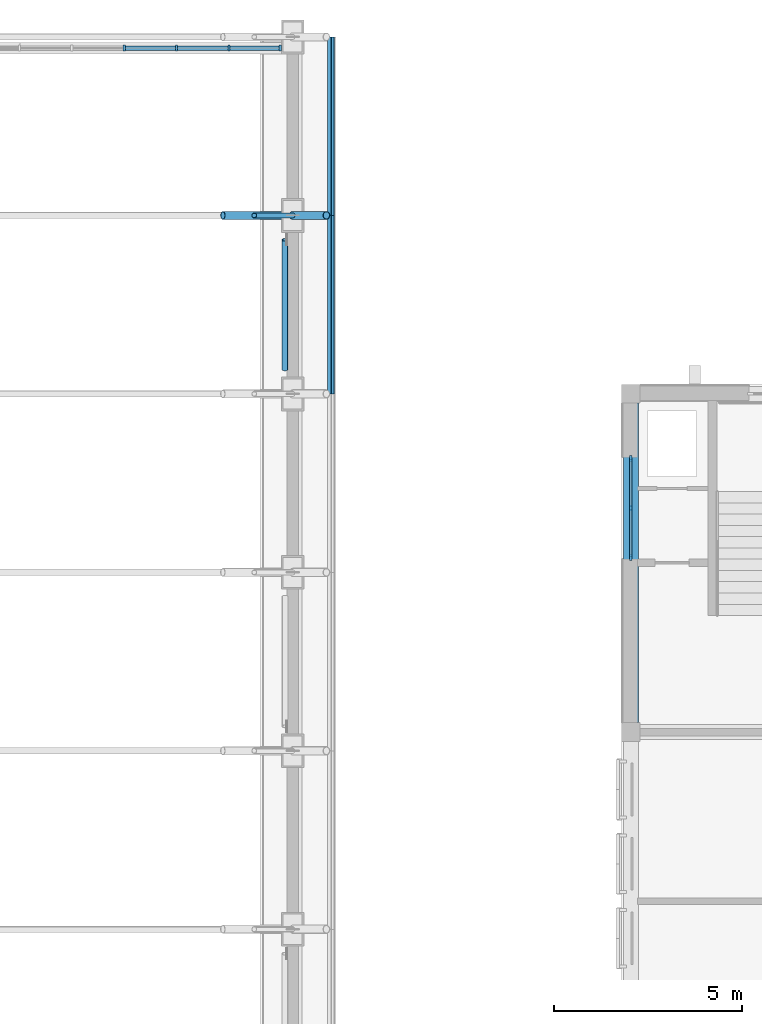
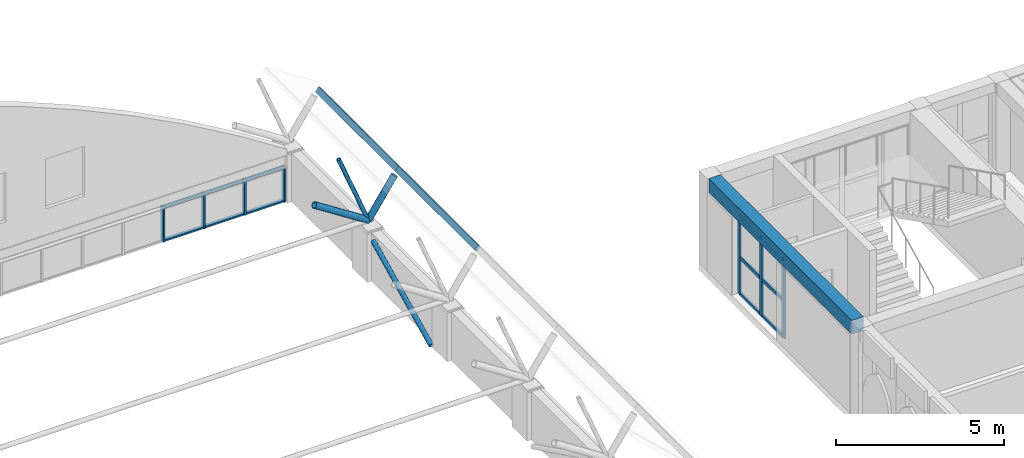
# One storey, part 21 of 65: 25 members, 1 beam, 2 elements without a shape of their own.
"""IFC4 building model written with IfcOpenShell, lengths in metres."""

from ifc_helpers import new_model, si_unit, direction, frame, origin, origin_2d, place, context, subcontext, project, spatial, rectangle, hollow_rectangle, hollow_circle, extrude, material, layer, layer_set, material_profile, profile_set, type_object, element, aggregate, save


model = new_model("IFC4")

# Units and contexts
model_context = context("Model", 3, precision=1e-05, world=origin(), true_north=direction((0.0, 1.0)))
body_context = subcontext(model_context, "Body", "Model", "MODEL_VIEW")
ifc_project = project(units=[si_unit("LENGTHUNIT", "METRE"), si_unit("AREAUNIT", "SQUARE_METRE"), si_unit("VOLUMEUNIT", "CUBIC_METRE"), si_unit("PLANEANGLEUNIT", "RADIAN"), si_unit("MASSUNIT", "GRAM", prefix="KILO")], contexts=[model_context])

# Site, building, storey
site_placement = place(None, origin())
site = spatial("IfcSite", under=ifc_project, at=site_placement, CompositionType="ELEMENT")
building_placement = place(site_placement, origin())
building = spatial("IfcBuilding", under=site, at=building_placement, Name="Elbe Cascade School", CompositionType="ELEMENT")
storey_placement = place(building_placement, frame((0.0, 0.0, 11.699951171875)))
storey = spatial("IfcBuildingStorey", under=building, at=storey_placement, Name="L03", CompositionType="ELEMENT", Elevation=11.699951171875)

# Curtain wall, members
ifc_material_1 = material(Name="Aluminium frame with double glazing, bronze anodised", Category="aluminium")
ifc_layer = layer(ifc_material_1, 0.159912109375)
ifc_layer_set = layer_set([ifc_layer], Name="Aluminium frame with double glazing, bronze anodised")
curtain_wall_type_1 = type_object("IfcCurtainWallType", Name="Bars envelope Curtain wall, aluminium, bronze anodised, storey-high slot", PredefinedType="NOTDEFINED", material=ifc_layer_set)
curtain_wall_1_placement = place(storey_placement, origin())
curtain_wall_1 = element("IfcCurtainWall", 1, at=curtain_wall_1_placement, inside=storey, type_object=curtain_wall_type_1, Name="Curtain wall CW4 A.L03.w6", PredefinedType="NOTDEFINED")
ifc_material_2 = material(Name="Aluminium mullion, bronze anodised", Category="aluminium")
ifc_material_profile_1 = material_profile(ifc_material_2, rectangle(XDim=0.06005859375, YDim=0.159912109375, at=origin_2d()), Name="Bars envelope Curtain wall mullion 60 x 160, aluminium, storey-high slot")
ifc_profile_set_1 = profile_set([ifc_material_profile_1], Name="Aluminium mullion, bronze anodised")
member_type_1 = type_object("IfcMemberType", Name="Bars envelope Curtain wall mullion 60 x 160, aluminium, storey-high slot", PredefinedType="MULLION", material=ifc_profile_set_1)
member_1_placement = place(storey_placement, frame((69.0, 55.639892578125, 0.0), z_axis=(0.0, 0.0, 1.0), x_axis=(-1.0, 0.0, 0.0)))
member_1 = element("IfcMember", 2, at=member_1_placement, type_object=member_type_1, Name="CW4 mullion 1", PredefinedType="MULLION", context=body_context, shape_type="SweptSolid", body=[
    extrude(rectangle(XDim=0.06005859375, YDim=0.159912109375, at=origin_2d()), origin(), (0.0, 0.0, 1.0), 2.85009765625),
])
member_2_placement = place(storey_placement, frame((69.0, 56.9599609375, 0.0), z_axis=(0.0, 0.0, 1.0), x_axis=(-1.0, 0.0, 0.0)))
member_2 = element("IfcMember", 3, at=member_2_placement, type_object=member_type_1, Name="CW4 mullion 2", PredefinedType="MULLION", context=body_context, shape_type="SweptSolid", body=[
    extrude(rectangle(XDim=0.06005859375, YDim=0.159912109375, at=origin_2d()), origin(), (0.0, 0.0, 1.0), 2.85009765625),
])
member_3_placement = place(storey_placement, frame((69.0, 58.280029296875, 0.0), z_axis=(0.0, 0.0, 1.0), x_axis=(-1.0, 0.0, 0.0)))
member_3 = element("IfcMember", 4, at=member_3_placement, type_object=member_type_1, Name="CW4 mullion 3", PredefinedType="MULLION", context=body_context, shape_type="SweptSolid", body=[
    extrude(rectangle(XDim=0.06005859375, YDim=0.159912109375, at=origin_2d()), origin(), (0.0, 0.0, 1.0), 2.85009765625),
])
ifc_material_3 = material(Name="Aluminium transom, bronze anodised", Category="aluminium")
ifc_material_profile_2 = material_profile(ifc_material_3, rectangle(XDim=0.06005859375, YDim=0.1201171875, at=origin_2d()), Name="Bars envelope Curtain wall transom 60 x 120, aluminium, storey-high slot")
ifc_profile_set_2 = profile_set([ifc_material_profile_2], Name="Aluminium transom, bronze anodised")
member_type_2 = type_object("IfcMemberType", Name="Bars envelope Curtain wall transom 60 x 120, aluminium, storey-high slot", PredefinedType="USERDEFINED", material=ifc_profile_set_2)
member_4_placement = place(storey_placement, frame((69.0, 55.669921875, 0.030029296875), z_axis=(0.0, 1.0, 0.0), x_axis=(-1.0, 0.0, 0.0)))
member_4 = element("IfcMember", 5, at=member_4_placement, type_object=member_type_2, Name="CW4 transom 1.1", ObjectType="TRANSOM", PredefinedType="USERDEFINED", context=body_context, shape_type="SweptSolid", body=[
    extrude(rectangle(XDim=0.06005859375, YDim=0.1201171875, at=origin_2d()), origin(), (0.0, 0.0, 1.0), 1.260009765625),
])
member_5_placement = place(storey_placement, frame((69.0, 55.669921875, 1.35009765625), z_axis=(0.0, 1.0, 0.0), x_axis=(-1.0, 0.0, 0.0)))
member_5 = element("IfcMember", 6, at=member_5_placement, type_object=member_type_2, Name="CW4 transom 1.2", ObjectType="TRANSOM", PredefinedType="USERDEFINED", context=body_context, shape_type="SweptSolid", body=[
    extrude(rectangle(XDim=0.06005859375, YDim=0.1201171875, at=origin_2d()), origin(), (0.0, 0.0, 1.0), 1.260009765625),
])
member_6_placement = place(storey_placement, frame((69.0, 55.669921875, 2.820068359375), z_axis=(0.0, 1.0, 0.0), x_axis=(-1.0, 0.0, 0.0)))
member_6 = element("IfcMember", 7, at=member_6_placement, type_object=member_type_2, Name="CW4 transom 1.3", ObjectType="TRANSOM", PredefinedType="USERDEFINED", context=body_context, shape_type="SweptSolid", body=[
    extrude(rectangle(XDim=0.06005859375, YDim=0.1201171875, at=origin_2d()), origin(), (0.0, 0.0, 1.0), 1.260009765625),
])
member_7_placement = place(storey_placement, frame((69.0, 56.989990234375, 0.030029296875), z_axis=(0.0, 1.0, 0.0), x_axis=(-1.0, 0.0, 0.0)))
member_7 = element("IfcMember", 8, at=member_7_placement, type_object=member_type_2, Name="CW4 transom 2.1", ObjectType="TRANSOM", PredefinedType="USERDEFINED", context=body_context, shape_type="SweptSolid", body=[
    extrude(rectangle(XDim=0.06005859375, YDim=0.1201171875, at=origin_2d()), origin(), (0.0, 0.0, 1.0), 1.260009765625),
])
member_8_placement = place(storey_placement, frame((69.0, 56.989990234375, 1.35009765625), z_axis=(0.0, 1.0, 0.0), x_axis=(-1.0, 0.0, 0.0)))
member_8 = element("IfcMember", 9, at=member_8_placement, type_object=member_type_2, Name="CW4 transom 2.2", ObjectType="TRANSOM", PredefinedType="USERDEFINED", context=body_context, shape_type="SweptSolid", body=[
    extrude(rectangle(XDim=0.06005859375, YDim=0.1201171875, at=origin_2d()), origin(), (0.0, 0.0, 1.0), 1.260009765625),
])
member_9_placement = place(storey_placement, frame((69.0, 56.989990234375, 2.820068359375), z_axis=(0.0, 1.0, 0.0), x_axis=(-1.0, 0.0, 0.0)))
member_9 = element("IfcMember", 10, at=member_9_placement, type_object=member_type_2, Name="CW4 transom 2.3", ObjectType="TRANSOM", PredefinedType="USERDEFINED", context=body_context, shape_type="SweptSolid", body=[
    extrude(rectangle(XDim=0.06005859375, YDim=0.1201171875, at=origin_2d()), origin(), (0.0, 0.0, 1.0), 1.260009765625),
])
aggregate(curtain_wall_1, [member_1, member_2, member_3, member_4, member_5, member_6, member_7, member_8, member_9])

ifc_material_4 = material(Name="Glass - double glazed low-E", Category="glass")
curtain_wall_type_2 = type_object("IfcCurtainWallType", Name="Hall gable curtain wall", PredefinedType="NOTDEFINED", material=ifc_material_4)
curtain_wall_2_placement = place(storey_placement, origin())
curtain_wall_2 = element("IfcCurtainWall", 11, at=curtain_wall_2_placement, inside=storey, type_object=curtain_wall_type_2, Name="Gable curtain wall N4", PredefinedType="NOTDEFINED")
ifc_material_5 = material(Name="Aluminium - bronze anodised", Category="aluminium")
ifc_material_profile_3 = material_profile(ifc_material_5, rectangle(XDim=0.159912109375, YDim=0.06005859375, at=origin_2d()), Name="Alu 60x160")
ifc_profile_set_3 = profile_set([ifc_material_profile_3], Name="Aluminium - bronze anodised")
member_type_3 = type_object("IfcMemberType", Name="Hall gable mullion 60x160", PredefinedType="MULLION", material=ifc_profile_set_3)
member_10_placement = place(storey_placement, frame((55.5166015625, 69.199951171875, 0.0), z_axis=(0.0, 0.0, 1.0), x_axis=(0.0, 1.0, 0.0)))
member_10 = element("IfcMember", 12, at=member_10_placement, type_object=member_type_3, Name="CW6 mullion 7", PredefinedType="MULLION", context=body_context, shape_type="SweptSolid", body=[
    extrude(rectangle(XDim=0.159912109375, YDim=0.06005859375, at=origin_2d()), origin(), (0.0, 0.0, 1.0), 1.260009765625),
])
member_11_placement = place(storey_placement, frame((56.9111328125, 69.199951171875, 0.0), z_axis=(0.0, 0.0, 1.0), x_axis=(0.0, 1.0, 0.0)))
member_11 = element("IfcMember", 13, at=member_11_placement, type_object=member_type_3, Name="CW6 mullion 8", PredefinedType="MULLION", context=body_context, shape_type="SweptSolid", body=[
    extrude(rectangle(XDim=0.159912109375, YDim=0.06005859375, at=origin_2d()), origin(), (0.0, 0.0, 1.0), 1.260009765625),
])
member_12_placement = place(storey_placement, frame((58.3056640625, 69.199951171875, 0.0), z_axis=(0.0, 0.0, 1.0), x_axis=(0.0, 1.0, 0.0)))
member_12 = element("IfcMember", 14, at=member_12_placement, type_object=member_type_3, Name="CW6 mullion 9", PredefinedType="MULLION", context=body_context, shape_type="SweptSolid", body=[
    extrude(rectangle(XDim=0.159912109375, YDim=0.06005859375, at=origin_2d()), origin(), (0.0, 0.0, 1.0), 1.260009765625),
])
member_13_placement = place(storey_placement, frame((59.669921875, 69.199951171875, 0.0), z_axis=(0.0, 0.0, 1.0), x_axis=(0.0, 1.0, 0.0)))
member_13 = element("IfcMember", 15, at=member_13_placement, type_object=member_type_3, Name="CW6 mullion 10", PredefinedType="MULLION", context=body_context, shape_type="SweptSolid", body=[
    extrude(rectangle(XDim=0.159912109375, YDim=0.06005859375, at=origin_2d()), origin(), (0.0, 0.0, 1.0), 1.260009765625),
])
ifc_material_6 = material(Name="Aluminium - bronze anodised", Category="aluminium")
ifc_material_profile_4 = material_profile(ifc_material_6, rectangle(XDim=0.1201171875, YDim=0.06005859375, at=origin_2d()), Name="Alu 60x120")
ifc_profile_set_4 = profile_set([ifc_material_profile_4], Name="Aluminium - bronze anodised")
member_type_4 = type_object("IfcMemberType", Name="Hall gable transom 60x120", PredefinedType="USERDEFINED", material=ifc_profile_set_4)
member_14_placement = place(storey_placement, frame((55.546630859375, 69.199951171875, 0.030029296875), z_axis=(1.0, 0.0, 0.0), x_axis=(0.0, 1.0, 0.0)))
member_14 = element("IfcMember", 16, at=member_14_placement, type_object=member_type_4, Name="CW6 transom 7.1", ObjectType="TRANSOM", PredefinedType="USERDEFINED", context=body_context, shape_type="SweptSolid", body=[
    extrude(rectangle(XDim=0.1201171875, YDim=0.06005859375, at=origin_2d()), origin(), (0.0, 0.0, 1.0), 1.33447265625),
])
member_15_placement = place(storey_placement, frame((55.546630859375, 69.199951171875, 1.22998046875), z_axis=(1.0, 0.0, 0.0), x_axis=(0.0, 1.0, 0.0)))
member_15 = element("IfcMember", 17, at=member_15_placement, type_object=member_type_4, Name="CW6 transom 7.2", ObjectType="TRANSOM", PredefinedType="USERDEFINED", context=body_context, shape_type="SweptSolid", body=[
    extrude(rectangle(XDim=0.1201171875, YDim=0.06005859375, at=origin_2d()), origin(), (0.0, 0.0, 1.0), 1.33447265625),
])
member_16_placement = place(storey_placement, frame((56.941162109375, 69.199951171875, 0.030029296875), z_axis=(1.0, 0.0, 0.0), x_axis=(0.0, 1.0, 0.0)))
member_16 = element("IfcMember", 18, at=member_16_placement, type_object=member_type_4, Name="CW6 transom 8.1", ObjectType="TRANSOM", PredefinedType="USERDEFINED", context=body_context, shape_type="SweptSolid", body=[
    extrude(rectangle(XDim=0.1201171875, YDim=0.06005859375, at=origin_2d()), origin(), (0.0, 0.0, 1.0), 1.33447265625),
])
member_17_placement = place(storey_placement, frame((56.941162109375, 69.199951171875, 1.22998046875), z_axis=(1.0, 0.0, 0.0), x_axis=(0.0, 1.0, 0.0)))
member_17 = element("IfcMember", 19, at=member_17_placement, type_object=member_type_4, Name="CW6 transom 8.2", ObjectType="TRANSOM", PredefinedType="USERDEFINED", context=body_context, shape_type="SweptSolid", body=[
    extrude(rectangle(XDim=0.1201171875, YDim=0.06005859375, at=origin_2d()), origin(), (0.0, 0.0, 1.0), 1.33447265625),
])
member_18_placement = place(storey_placement, frame((58.33544921875, 69.199951171875, 0.030029296875), z_axis=(1.0, 0.0, 0.0), x_axis=(0.0, 1.0, 0.0)))
member_18 = element("IfcMember", 20, at=member_18_placement, type_object=member_type_4, Name="CW6 transom 9.1", ObjectType="TRANSOM", PredefinedType="USERDEFINED", context=body_context, shape_type="SweptSolid", body=[
    extrude(rectangle(XDim=0.1201171875, YDim=0.06005859375, at=origin_2d()), origin(), (0.0, 0.0, 1.0), 1.304443359375),
])
member_19_placement = place(storey_placement, frame((58.33544921875, 69.199951171875, 1.22998046875), z_axis=(1.0, 0.0, 0.0), x_axis=(0.0, 1.0, 0.0)))
member_19 = element("IfcMember", 21, at=member_19_placement, type_object=member_type_4, Name="CW6 transom 9.2", ObjectType="TRANSOM", PredefinedType="USERDEFINED", context=body_context, shape_type="SweptSolid", body=[
    extrude(rectangle(XDim=0.1201171875, YDim=0.06005859375, at=origin_2d()), origin(), (0.0, 0.0, 1.0), 1.304443359375),
])
aggregate(curtain_wall_2, [member_10, member_11, member_12, member_13, member_14, member_15, member_16, member_17, member_18, member_19])

# Members
ifc_material_7 = material(Name="Steel S355J2H", Category="steel")
ifc_material_profile_5 = material_profile(ifc_material_7, hollow_circle(Radius=0.109619140625, WallThickness=0.012451171875, at=origin_2d()), Name="CHS 219.1x12.5")
ifc_profile_set_5 = profile_set([ifc_material_profile_5], Name="Steel S355J2H")
member_type_5 = type_object("IfcMemberType", Name="Hall rib bottom chord CHS 219.1x12.5", PredefinedType="CHORD", material=ifc_profile_set_5)
member_20_placement = place(storey_placement, frame((58.142822265625, 64.75, 3.090576171875), z_axis=(0.840233339688, 0.0, -0.542224985478), x_axis=(0.0, 1.0, 0.0)))
element("IfcMember", 22, at=member_20_placement, inside=storey, type_object=member_type_5, Name="Hall rib bottom chord CHS 219.1x12.5 M3", PredefinedType="CHORD", context=body_context, shape_type="SweptSolid", body=[
    extrude(hollow_circle(Radius=0.109619140625, WallThickness=0.012451171875, at=origin_2d()), origin(), (0.0, 0.0, 1.0), 2.210205078125),
])
ifc_material_8 = material(Name="Steel S355J2H", Category="steel")
ifc_material_profile_6 = material_profile(ifc_material_8, hollow_circle(Radius=0.109619140625, WallThickness=0.012451171875, at=origin_2d()), Name="CHS 219.1x12.5")
ifc_profile_set_6 = profile_set([ifc_material_profile_6], Name="Steel S355J2H")
member_type_6 = type_object("IfcMemberType", Name="Hall rib end post CHS 219.1x12.5", PredefinedType="POST", material=ifc_profile_set_6)
member_21_placement = place(storey_placement, frame((60.0, 64.75, 1.89208984375), z_axis=(0.562143062018, 0.0, 0.827040009809), x_axis=(0.0, 1.0, 0.0)))
element("IfcMember", 23, at=member_21_placement, inside=storey, type_object=member_type_6, Name="Hall rib end post CHS 219.1x12.5 M5", PredefinedType="POST", context=body_context, shape_type="SweptSolid", body=[
    extrude(hollow_circle(Radius=0.109619140625, WallThickness=0.012451171875, at=origin_2d()), origin(), (0.0, 0.0, 1.0), 1.599853515625),
])
ifc_material_9 = material(Name="Steel S355J2H", Category="steel")
ifc_material_profile_7 = material_profile(ifc_material_9, hollow_circle(Radius=0.06982421875, WallThickness=0.008056640625, at=origin_2d()), Name="CHS 139.7x8")
ifc_profile_set_7 = profile_set([ifc_material_profile_7], Name="Steel S355J2H")
member_type_7 = type_object("IfcMemberType", Name="Hall rib web CHS 139.7x8", PredefinedType="BRACE", material=ifc_profile_set_7)
member_22_placement = place(storey_placement, frame((58.97802734375, 64.75, 4.455322265625), z_axis=(0.370353160415, 0.0, -0.928891025132), x_axis=(0.0, 1.0, 0.0)))
element("IfcMember", 24, at=member_22_placement, inside=storey, type_object=member_type_7, Name="Hall rib web CHS 139.7x8 M4", PredefinedType="BRACE", context=body_context, shape_type="SweptSolid", body=[
    extrude(hollow_circle(Radius=0.06982421875, WallThickness=0.008056640625, at=origin_2d()), origin(), (0.0, 0.0, 1.0), 2.759521484375),
])
ifc_material_10 = material(Name="Steel S355J2H", Category="steel")
ifc_material_profile_8 = material_profile(ifc_material_10, hollow_rectangle(XDim=0.10009765625, YDim=0.199951171875, WallThickness=0.008056640625, InnerFilletRadius=0.008056640625, OuterFilletRadius=0.011962890625, at=origin_2d()), Name="RHS 200x100x8")
ifc_profile_set_8 = profile_set([ifc_material_profile_8], Name="Steel S355J2H")
member_type_8 = type_object("IfcMemberType", Name="Hall roof purlin RHS 200x100x8", PredefinedType="PURLIN", material=ifc_profile_set_8)
for number, where, z_axis, x_axis, name in (
    (25, (61.015625, 60.0, 3.38623046875), (0.0, 1.0, 0.0), (-0.827027027028, 0.0, 0.562162162161), "Hall roof purlin RHS 200x100x8 M8"),
    (26, (61.015625, 64.75, 3.38623046875), (0.0, 1.0, 0.0), (-0.827027027028, 0.0, 0.562162162161), "Hall roof purlin RHS 200x100x8 M8"),
):
    element("IfcMember", number, at=place(storey_placement, frame(where, z_axis=z_axis, x_axis=x_axis)), inside=storey, type_object=member_type_8, Name=name, PredefinedType="PURLIN", context=body_context, shape_type="SweptSolid", body=[
        extrude(hollow_rectangle(XDim=0.10009765625, YDim=0.199951171875, WallThickness=0.008056640625, InnerFilletRadius=0.008056640625, OuterFilletRadius=0.011962890625, at=origin_2d()), origin(), (0.0, 0.0, 1.0), 4.75),
    ])
ifc_material_11 = material(Name="Steel S355J2H", Category="steel")
ifc_material_profile_9 = material_profile(ifc_material_11, hollow_circle(Radius=0.084228515625, WallThickness=0.010009765625, at=origin_2d()), Name="CHS 168.3x10")
ifc_profile_set_9 = profile_set([ifc_material_profile_9], Name="Steel S355J2H")
member_type_9 = type_object("IfcMemberType", Name="Hall wall bracing CHS 168.3x10", PredefinedType="BRACE", material=ifc_profile_set_9)
member_23_placement = place(storey_placement, frame((59.7958984375, 60.64990234375, -0.099853515625), z_axis=(0.0, 0.89702706343, 0.441975618643), x_axis=(-1.0, 0.0, 0.0)))
element("IfcMember", 27, at=member_23_placement, inside=storey, type_object=member_type_9, Name="Hall wall bracing CHS 168.3x10 M10", PredefinedType="BRACE", context=body_context, shape_type="SweptSolid", body=[
    extrude(hollow_circle(Radius=0.084228515625, WallThickness=0.010009765625, at=origin_2d()), origin(), (0.0, 0.0, 1.0), 3.84619140625),
])

# Beam
ifc_material_12 = material(Name="Concrete C30/37", Category="concrete")
ifc_material_profile_10 = material_profile(ifc_material_12, rectangle(XDim=0.39990234375, YDim=0.5, at=origin_2d()), Name="RC 400x500")
ifc_profile_set_10 = profile_set([ifc_material_profile_10], Name="Concrete C30/37")
beam_type = type_object("IfcBeamType", Name="RC 400x500 beam", PredefinedType="BEAM", material=ifc_profile_set_10)
beam_placement = place(storey_placement, frame((69.0, 51.25, 3.10009765625), z_axis=(0.0, 1.0, 0.0), x_axis=(-1.0, 0.0, 0.0)))
element("IfcBeam", 28, at=beam_placement, inside=storey, type_object=beam_type, Name="RC 400x500 beam B1", PredefinedType="BEAM", context=body_context, shape_type="SweptSolid", body=[
    extrude(rectangle(XDim=0.39990234375, YDim=0.5, at=origin_2d()), origin(), (0.0, 0.0, 1.0), 8.5),
])

save(model, "model.ifc")
